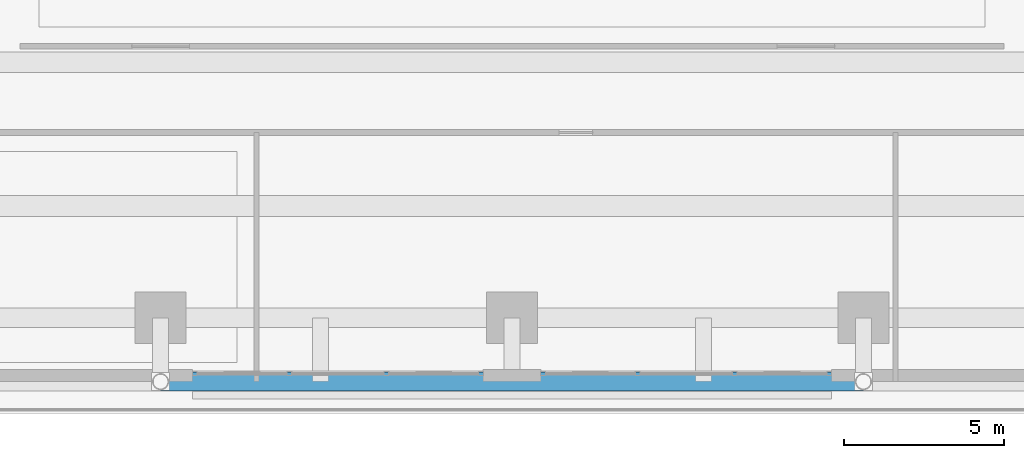
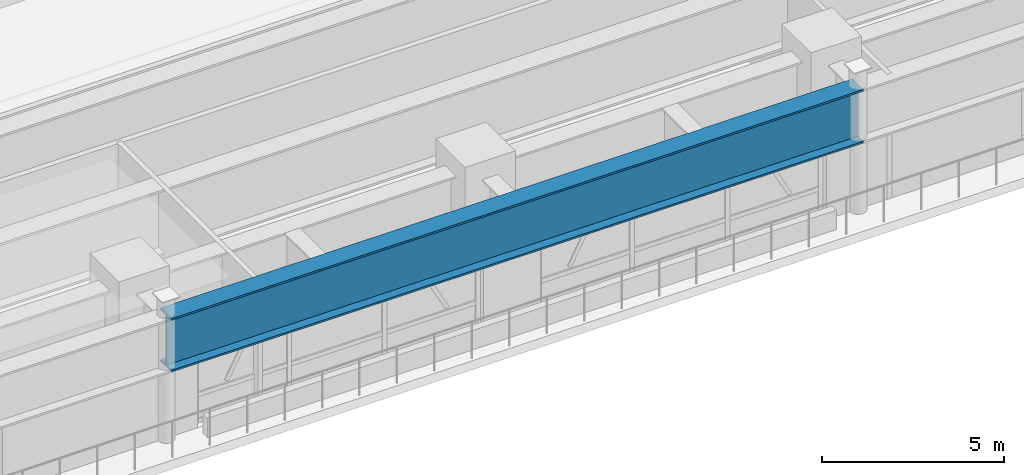
# One storey, part 10 of 35: 1 beam.
"""IFC4 building model written with IfcOpenShell, lengths in metres."""

from ifc_helpers import new_model, si_unit, direction, frame, origin, origin_2d, place, context, subcontext, project, spatial, i_section, extrude, source, transform, mapped, material, material_profile, profile_set, type_object, element, save


model = new_model("IFC4")

# Units and contexts
model_context = context("Model", 3, precision=1e-05, world=origin(), true_north=direction((0.0, 1.0)))
body_context = subcontext(model_context, "Body", "Model", "MODEL_VIEW")
ifc_project = project(units=[si_unit("LENGTHUNIT", "METRE"), si_unit("AREAUNIT", "SQUARE_METRE"), si_unit("VOLUMEUNIT", "CUBIC_METRE"), si_unit("PLANEANGLEUNIT", "RADIAN"), si_unit("MASSUNIT", "GRAM", prefix="KILO")], contexts=[model_context])

# Site, building, storey
site_placement = place(None, origin())
site = spatial("IfcSite", under=ifc_project, at=site_placement, CompositionType="ELEMENT")
building_placement = place(site_placement, origin())
building = spatial("IfcBuilding", under=site, at=building_placement, Name="Khorayat Bourse Tower", CompositionType="ELEMENT")
storey_placement = place(building_placement, frame((0.0, 0.0, 22.199951171875)))
storey = spatial("IfcBuildingStorey", under=building, at=storey_placement, Name="L04", CompositionType="ELEMENT", Elevation=22.199951171875)

# Beam
ifc_material = material(Name="Steel EN 10025-4 S460M", Category="steel")
ifc_material_profile = material_profile(ifc_material, i_section(OverallWidth=0.60009765625, OverallDepth=1.800048828125, WebThickness=0.031982421875, FlangeThickness=0.06005859375, at=origin_2d()), Name="PG 1800x600x32x60")
ifc_profile_set = profile_set([ifc_material_profile], Name="Steel EN 10025-4 S460M")
beam_type = type_object("IfcBeamType", Name="BM-TR-1800", PredefinedType="BEAM", material=ifc_profile_set)
shared_shape = source(origin(), body_context, "Body", "SweptSolid", [
    extrude(i_section(OverallWidth=0.60009765625, OverallDepth=1.800048828125, WebThickness=0.031982421875, FlangeThickness=0.06005859375, at=origin_2d()), origin(), (0.0, 0.0, 1.0), 22.0),
])
beam_placement = place(storey_placement, frame((-11.0, -34.0, 3.300048828125), z_axis=(1.0, 0.0, 0.0), x_axis=(0.0, 1.0, 0.0)))
element("IfcBeam", 1, at=beam_placement, inside=storey, type_object=beam_type, Name="L04 BM-TR-1800 BM-L04-PGX-027", PredefinedType="BEAM", context=body_context, shape_type="MappedRepresentation", body=[
    mapped(shared_shape, transform((0.0, 0.0, 0.0), scale=1.0)),
])

save(model, "model.ifc")
